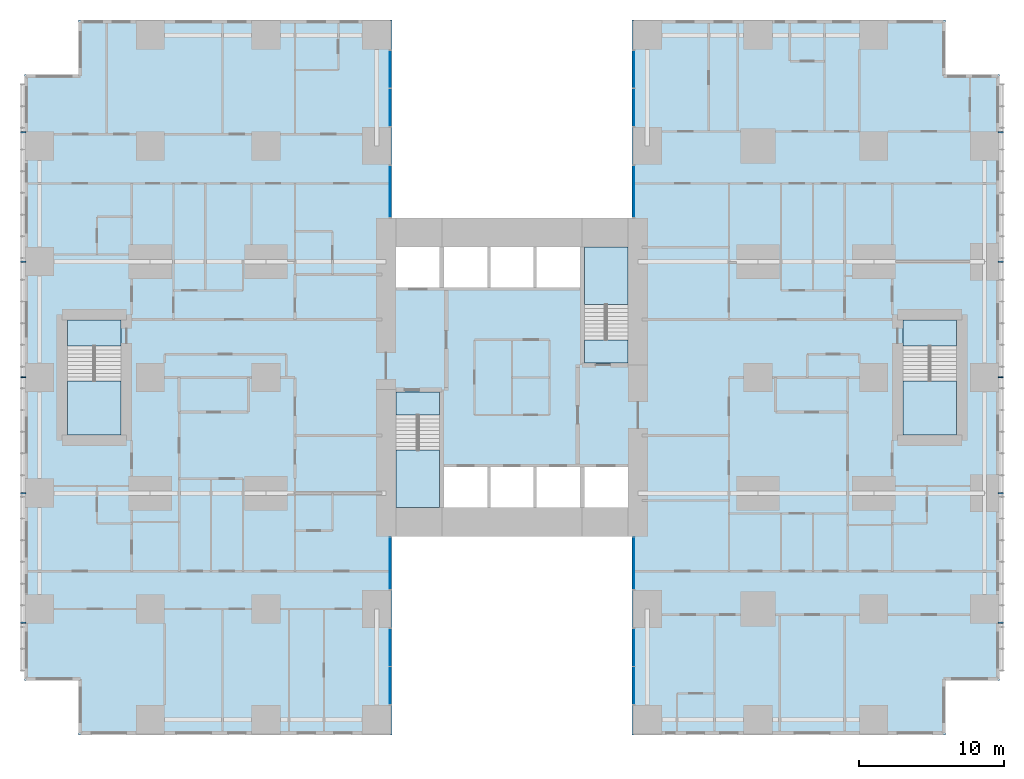
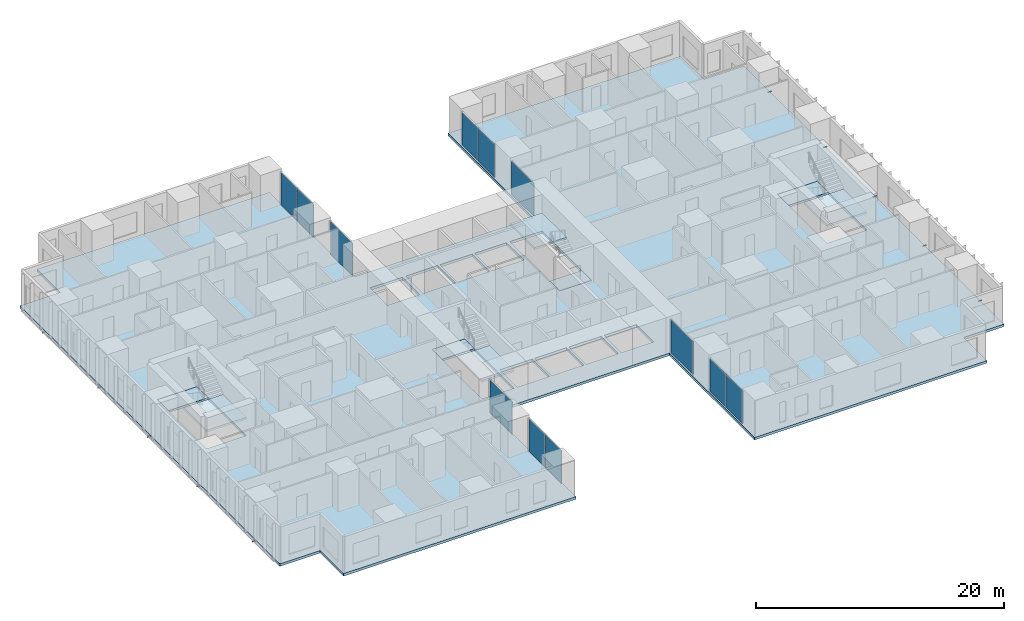
# One storey, part 7 of 20: 12 plates, 10 members, 9 slabs, 12 elements without a shape of their own.
"""IFC4 building model written with IfcOpenShell, lengths in metres."""

from ifc_helpers import new_model, si_unit, direction, frame, origin, origin_2d, place, context, subcontext, project, spatial, polyline, rectangle, hollow_rectangle, outline, extrude, material, layer, layer_set, material_profile, profile_set, type_object, element, aggregate, save


model = new_model("IFC4")

# Units and contexts
model_context = context("Model", 3, precision=1e-05, world=origin(), true_north=direction((0.0, 1.0)))
body_context = subcontext(model_context, "Body", "Model", "MODEL_VIEW")
ifc_project = project(units=[si_unit("LENGTHUNIT", "METRE"), si_unit("AREAUNIT", "SQUARE_METRE"), si_unit("VOLUMEUNIT", "CUBIC_METRE"), si_unit("PLANEANGLEUNIT", "RADIAN"), si_unit("MASSUNIT", "GRAM", prefix="KILO")], contexts=[model_context])

# Site, building, storey
site_placement = place(None, origin())
site = spatial("IfcSite", under=ifc_project, at=site_placement, CompositionType="ELEMENT")
building_placement = place(site_placement, origin())
building = spatial("IfcBuilding", under=site, at=building_placement, Name="Cleftline Residences", CompositionType="ELEMENT")
storey_placement = place(building_placement, frame((0.0, 0.0, 44.0)))
storey = spatial("IfcBuildingStorey", under=building, at=storey_placement, Name="L10", CompositionType="ELEMENT", Elevation=44.0)

# Members
ifc_material_1 = material(Name="Steel S355, hot-dip galvanised", Category="steel")
ifc_material_profile = material_profile(ifc_material_1, hollow_rectangle(XDim=0.10009765625, YDim=0.10009765625, WallThickness=0.008056640625, InnerFilletRadius=0.008056640625, OuterFilletRadius=0.011962890625, at=origin_2d()))
ifc_profile_set = profile_set([ifc_material_profile], Name="Steel S355, hot-dip galvanised")
member_type = type_object("IfcMemberType", Name="BAGUETTE BRACKET SHS 100X100X8", PredefinedType="USERDEFINED", material=ifc_profile_set)
for number, where, z_axis, x_axis, name in (
    (1, (66.60009765625, 7.050048828125, -0.14990234375), (1.0, 0.0, 0.0), (0.0, 1.0, 0.0), "Baguette bracket"),
    (2, (66.60009765625, 16.0, -0.14990234375), (1.0, 0.0, 0.0), (0.0, 1.0, 0.0), "Baguette bracket"),
    (3, (66.60009765625, 24.0, -0.14990234375), (1.0, 0.0, 0.0), (0.0, 1.0, 0.0), "Baguette bracket"),
    (4, (66.60009765625, 32.0, -0.14990234375), (1.0, 0.0, 0.0), (0.0, 1.0, 0.0), "Baguette bracket"),
    (5, (66.60009765625, 40.949951171875, -0.14990234375), (1.0, 0.0, 0.0), (0.0, 1.0, 0.0), "Baguette bracket"),
    (6, (-0.60009765625, 40.949951171875, -0.14990234375), (-1.0, 0.0, 0.0), (0.0, -1.0, 0.0), "Baguette bracket"),
    (7, (-0.60009765625, 32.0, -0.14990234375), (-1.0, 0.0, 0.0), (0.0, -1.0, 0.0), "Baguette bracket"),
    (8, (-0.60009765625, 24.0, -0.14990234375), (-1.0, 0.0, 0.0), (0.0, -1.0, 0.0), "Baguette bracket"),
    (9, (-0.60009765625, 16.0, -0.14990234375), (-1.0, 0.0, 0.0), (0.0, -1.0, 0.0), "Baguette bracket"),
    (10, (-0.60009765625, 7.050048828125, -0.14990234375), (-1.0, 0.0, 0.0), (0.0, -1.0, 0.0), "Baguette bracket"),
):
    element("IfcMember", number, at=place(storey_placement, frame(where, z_axis=z_axis, x_axis=x_axis)), inside=storey, type_object=member_type, Name=name, ObjectType="BAGUETTE BRACKET", PredefinedType="USERDEFINED", context=body_context, shape_type="SweptSolid", body=[
        extrude(hollow_rectangle(XDim=0.10009765625, YDim=0.10009765625, WallThickness=0.008056640625, InnerFilletRadius=0.008056640625, OuterFilletRadius=0.011962890625, at=origin_2d()), origin(), (0.0, 0.0, 1.0), 0.349853515625),
    ])

# Curtain wall, plates
ifc_material_2 = material(Name="Aluminium framed curtain wall", Category="aluminium")
ifc_layer_1 = layer(ifc_material_2, 0.199951171875)
ifc_layer_set_1 = layer_set([ifc_layer_1], Name="CW1 CLEFT GLAZING")
curtain_wall_type = type_object("IfcCurtainWallType", Name="CW1 CLEFT GLAZING", PredefinedType="NOTDEFINED", material=ifc_layer_set_1)
curtain_wall_1_placement = place(storey_placement, origin())
curtain_wall_1 = element("IfcCurtainWall", 11, at=curtain_wall_1_placement, inside=storey, type_object=curtain_wall_type, Name="Curtain wall CW1", PredefinedType="NOTDEFINED")
ifc_material_3 = material(Name="Laminated clear glass", Category="glass")
ifc_layer_2 = layer(ifc_material_3, 0.028076171875)
ifc_layer_set_2 = layer_set([ifc_layer_2], Name="CW1 GLASS PANEL")
plate_type = type_object("IfcPlateType", Name="CW1 GLASS PANEL", PredefinedType="CURTAIN_PANEL", material=ifc_layer_set_2)
plate_1_placement = place(storey_placement, frame((24.574951171875, 2.702392578125, 0.06005859375), z_axis=(0.0, 0.0, 1.0), x_axis=(0.0, 1.0, 0.0)))
plate_1 = element("IfcPlate", 12, at=plate_1_placement, type_object=plate_type, Name="CW1 panel 1.1", PredefinedType="CURTAIN_PANEL", context=body_context, shape_type="SweptSolid", body=[
    extrude(rectangle(XDim=2.5849609375, YDim=0.028076171875, at=origin_2d()), origin(), (0.0, 0.0, 1.0), 3.22998046875),
])
plate_2_placement = place(storey_placement, frame((24.574951171875, 5.347412109375, 0.06005859375), z_axis=(0.0, 0.0, 1.0), x_axis=(0.0, 1.0, 0.0)))
plate_2 = element("IfcPlate", 13, at=plate_2_placement, type_object=plate_type, Name="CW1 panel 2.1", PredefinedType="CURTAIN_PANEL", context=body_context, shape_type="SweptSolid", body=[
    extrude(rectangle(XDim=2.5849609375, YDim=0.028076171875, at=origin_2d()), origin(), (0.0, 0.0, 1.0), 3.22998046875),
])
aggregate(curtain_wall_1, [plate_1, plate_2])

# Curtain wall, plate
curtain_wall_2_placement = place(storey_placement, origin())
curtain_wall_2 = element("IfcCurtainWall", 14, at=curtain_wall_2_placement, inside=storey, type_object=curtain_wall_type, Name="Curtain wall CW1", PredefinedType="NOTDEFINED")
plate_3_placement = place(storey_placement, frame((24.574951171875, 11.14990234375, 0.06005859375), z_axis=(0.0, 0.0, 1.0), x_axis=(0.0, 1.0, 0.0)))
plate_3 = element("IfcPlate", 15, at=plate_3_placement, type_object=plate_type, Name="CW1 panel 1.1", PredefinedType="CURTAIN_PANEL", context=body_context, shape_type="SweptSolid", body=[
    extrude(rectangle(XDim=3.580078125, YDim=0.028076171875, at=origin_2d()), origin(), (0.0, 0.0, 1.0), 3.22998046875),
])
aggregate(curtain_wall_2, [plate_3])

curtain_wall_3_placement = place(storey_placement, origin())
curtain_wall_3 = element("IfcCurtainWall", 16, at=curtain_wall_3_placement, inside=storey, type_object=curtain_wall_type, Name="Curtain wall CW1", PredefinedType="NOTDEFINED")
plate_4_placement = place(storey_placement, frame((41.425048828125, 11.14990234375, 0.06005859375), z_axis=(0.0, 0.0, 1.0), x_axis=(0.0, -1.0, 0.0)))
plate_4 = element("IfcPlate", 17, at=plate_4_placement, type_object=plate_type, Name="CW1 panel 1.1", PredefinedType="CURTAIN_PANEL", context=body_context, shape_type="SweptSolid", body=[
    extrude(rectangle(XDim=3.580078125, YDim=0.028076171875, at=origin_2d()), origin(), (0.0, 0.0, 1.0), 3.22998046875),
])
aggregate(curtain_wall_3, [plate_4])

# Curtain wall, plates
curtain_wall_4_placement = place(storey_placement, origin())
curtain_wall_4 = element("IfcCurtainWall", 18, at=curtain_wall_4_placement, inside=storey, type_object=curtain_wall_type, Name="Curtain wall CW1", PredefinedType="NOTDEFINED")
plate_5_placement = place(storey_placement, frame((41.425048828125, 5.347412109375, 0.06005859375), z_axis=(0.0, 0.0, 1.0), x_axis=(0.0, -1.0, 0.0)))
plate_5 = element("IfcPlate", 19, at=plate_5_placement, type_object=plate_type, Name="CW1 panel 1.1", PredefinedType="CURTAIN_PANEL", context=body_context, shape_type="SweptSolid", body=[
    extrude(rectangle(XDim=2.5849609375, YDim=0.028076171875, at=origin_2d()), origin(), (0.0, 0.0, 1.0), 3.22998046875),
])
plate_6_placement = place(storey_placement, frame((41.425048828125, 2.702392578125, 0.06005859375), z_axis=(0.0, 0.0, 1.0), x_axis=(0.0, -1.0, 0.0)))
plate_6 = element("IfcPlate", 20, at=plate_6_placement, type_object=plate_type, Name="CW1 panel 2.1", PredefinedType="CURTAIN_PANEL", context=body_context, shape_type="SweptSolid", body=[
    extrude(rectangle(XDim=2.5849609375, YDim=0.028076171875, at=origin_2d()), origin(), (0.0, 0.0, 1.0), 3.22998046875),
])
aggregate(curtain_wall_4, [plate_5, plate_6])

curtain_wall_5_placement = place(storey_placement, origin())
curtain_wall_5 = element("IfcCurtainWall", 21, at=curtain_wall_5_placement, inside=storey, type_object=curtain_wall_type, Name="Curtain wall CW1", PredefinedType="NOTDEFINED")
plate_7_placement = place(storey_placement, frame((41.425048828125, 45.297607421875, 0.06005859375), z_axis=(0.0, 0.0, 1.0), x_axis=(0.0, -1.0, 0.0)))
plate_7 = element("IfcPlate", 22, at=plate_7_placement, type_object=plate_type, Name="CW1 panel 1.1", PredefinedType="CURTAIN_PANEL", context=body_context, shape_type="SweptSolid", body=[
    extrude(rectangle(XDim=2.5849609375, YDim=0.028076171875, at=origin_2d()), origin(), (0.0, 0.0, 1.0), 3.22998046875),
])
plate_8_placement = place(storey_placement, frame((41.425048828125, 42.652587890625, 0.06005859375), z_axis=(0.0, 0.0, 1.0), x_axis=(0.0, -1.0, 0.0)))
plate_8 = element("IfcPlate", 23, at=plate_8_placement, type_object=plate_type, Name="CW1 panel 2.1", PredefinedType="CURTAIN_PANEL", context=body_context, shape_type="SweptSolid", body=[
    extrude(rectangle(XDim=2.5849609375, YDim=0.028076171875, at=origin_2d()), origin(), (0.0, 0.0, 1.0), 3.22998046875),
])
aggregate(curtain_wall_5, [plate_7, plate_8])

# Curtain wall, plate
curtain_wall_6_placement = place(storey_placement, origin())
curtain_wall_6 = element("IfcCurtainWall", 24, at=curtain_wall_6_placement, inside=storey, type_object=curtain_wall_type, Name="Curtain wall CW1", PredefinedType="NOTDEFINED")
plate_9_placement = place(storey_placement, frame((41.425048828125, 36.85009765625, 0.06005859375), z_axis=(0.0, 0.0, 1.0), x_axis=(0.0, -1.0, 0.0)))
plate_9 = element("IfcPlate", 25, at=plate_9_placement, type_object=plate_type, Name="CW1 panel 1.1", PredefinedType="CURTAIN_PANEL", context=body_context, shape_type="SweptSolid", body=[
    extrude(rectangle(XDim=3.580078125, YDim=0.028076171875, at=origin_2d()), origin(), (0.0, 0.0, 1.0), 3.22998046875),
])
aggregate(curtain_wall_6, [plate_9])

curtain_wall_7_placement = place(storey_placement, origin())
curtain_wall_7 = element("IfcCurtainWall", 26, at=curtain_wall_7_placement, inside=storey, type_object=curtain_wall_type, Name="Curtain wall CW1", PredefinedType="NOTDEFINED")
plate_10_placement = place(storey_placement, frame((24.574951171875, 36.85009765625, 0.06005859375), z_axis=(0.0, 0.0, 1.0), x_axis=(0.0, 1.0, 0.0)))
plate_10 = element("IfcPlate", 27, at=plate_10_placement, type_object=plate_type, Name="CW1 panel 1.1", PredefinedType="CURTAIN_PANEL", context=body_context, shape_type="SweptSolid", body=[
    extrude(rectangle(XDim=3.580078125, YDim=0.028076171875, at=origin_2d()), origin(), (0.0, 0.0, 1.0), 3.22998046875),
])
aggregate(curtain_wall_7, [plate_10])

# Curtain wall, plates
curtain_wall_8_placement = place(storey_placement, origin())
curtain_wall_8 = element("IfcCurtainWall", 28, at=curtain_wall_8_placement, inside=storey, type_object=curtain_wall_type, Name="Curtain wall CW1", PredefinedType="NOTDEFINED")
plate_11_placement = place(storey_placement, frame((24.574951171875, 42.652587890625, 0.06005859375), z_axis=(0.0, 0.0, 1.0), x_axis=(0.0, 1.0, 0.0)))
plate_11 = element("IfcPlate", 29, at=plate_11_placement, type_object=plate_type, Name="CW1 panel 1.1", PredefinedType="CURTAIN_PANEL", context=body_context, shape_type="SweptSolid", body=[
    extrude(rectangle(XDim=2.5849609375, YDim=0.028076171875, at=origin_2d()), origin(), (0.0, 0.0, 1.0), 3.22998046875),
])
plate_12_placement = place(storey_placement, frame((24.574951171875, 45.297607421875, 0.06005859375), z_axis=(0.0, 0.0, 1.0), x_axis=(0.0, 1.0, 0.0)))
plate_12 = element("IfcPlate", 30, at=plate_12_placement, type_object=plate_type, Name="CW1 panel 2.1", PredefinedType="CURTAIN_PANEL", context=body_context, shape_type="SweptSolid", body=[
    extrude(rectangle(XDim=2.5849609375, YDim=0.028076171875, at=origin_2d()), origin(), (0.0, 0.0, 1.0), 3.22998046875),
])
aggregate(curtain_wall_8, [plate_11, plate_12])

# Slab
ifc_material_4 = material(Name="Concrete B45", Category="concrete")
ifc_layer_3 = layer(ifc_material_4, 0.25)
ifc_layer_set_3 = layer_set([ifc_layer_3], Name="FLOOR SLAB 250")
slab_type_1 = type_object("IfcSlabType", Name="FLOOR SLAB 250", PredefinedType="FLOOR", material=ifc_layer_set_3)
slab_1_placement = place(storey_placement, frame((0.0, 0.0, -0.25)))
element("IfcSlab", 31, at=slab_1_placement, inside=storey, type_object=slab_type_1, Name="Floor slab L10", PredefinedType="FLOOR", context=body_context, shape_type="SweptSolid", body=[
    extrude(outline(polyline([(24.699951171875, 13.0), (41.300048828125, 13.0), (41.300048828125, -0.699951171875), (62.949951171875, -0.699951171875), (62.949951171875, 3.050048828125), (66.699951171875, 3.050048828125), (66.699951171875, 44.949951171875), (62.949951171875, 44.949951171875), (62.949951171875, 48.699951171875), (41.300048828125, 48.699951171875), (41.300048828125, 35.0), (24.699951171875, 35.0), (24.699951171875, 48.699951171875), (3.050048828125, 48.699951171875), (3.050048828125, 44.949951171875), (-0.699951171875, 44.949951171875), (-0.699951171875, 3.050048828125), (3.050048828125, 3.050048828125), (3.050048828125, -0.699951171875), (24.699951171875, -0.699951171875), (24.699951171875, 13.0)]), holes=[polyline([(28.0, 15.0), (28.0, 23.0), (25.0, 23.0), (25.0, 15.0), (28.0, 15.0)]), polyline([(41.0, 25.0), (41.0, 33.0), (38.0, 33.0), (38.0, 25.0), (41.0, 25.0)]), polyline([(28.0, 30.199951171875), (28.0, 33.0), (25.0, 33.0), (25.0, 30.199951171875), (28.0, 30.199951171875)]), polyline([(41.0, 15.0), (41.0, 17.800048828125), (38.0, 17.800048828125), (38.0, 15.0), (41.0, 15.0)]), polyline([(31.300048828125, 15.0), (31.300048828125, 17.800048828125), (28.300048828125, 17.800048828125), (28.300048828125, 15.0), (31.300048828125, 15.0)]), polyline([(34.5, 15.0), (34.5, 17.800048828125), (31.5, 17.800048828125), (31.5, 15.0), (34.5, 15.0)]), polyline([(37.699951171875, 15.0), (37.699951171875, 17.800048828125), (34.699951171875, 17.800048828125), (34.699951171875, 15.0), (37.699951171875, 15.0)]), polyline([(31.300048828125, 30.199951171875), (31.300048828125, 33.0), (28.300048828125, 33.0), (28.300048828125, 30.199951171875), (31.300048828125, 30.199951171875)]), polyline([(34.5, 30.199951171875), (34.5, 33.0), (31.5, 33.0), (31.5, 30.199951171875), (34.5, 30.199951171875)]), polyline([(37.699951171875, 30.199951171875), (37.699951171875, 33.0), (34.699951171875, 33.0), (34.699951171875, 30.199951171875), (37.699951171875, 30.199951171875)]), polyline([(63.72509765625, 20.02490234375), (63.72509765625, 27.97509765625), (60.02490234375, 27.97509765625), (60.02490234375, 20.02490234375), (63.72509765625, 20.02490234375)]), polyline([(5.97509765625, 20.02490234375), (5.97509765625, 27.97509765625), (2.27490234375, 27.97509765625), (2.27490234375, 20.02490234375), (5.97509765625, 20.02490234375)])]), origin(), (0.0, 0.0, 1.0), 0.25),
])

# Stair, slabs
ifc_material_5 = material(Name="Concrete B45, stone treads", Category="masonry")
stair_type_1 = type_object("IfcStairType", Name="STAIR A 1450 WIDE 180 RISER", PredefinedType="HALF_TURN_STAIR", material=ifc_material_5)
stair_1_placement = place(storey_placement, origin())
stair_1 = element("IfcStair", 32, at=stair_1_placement, inside=storey, type_object=stair_type_1, Name="Stair A L10", PredefinedType="HALF_TURN_STAIR")
ifc_material_6 = material(Name="Concrete B45", Category="concrete")
ifc_layer_4 = layer(ifc_material_6, 0.199951171875)
ifc_layer_set_4 = layer_set([ifc_layer_4], Name="STAIR LANDING 200")
slab_type_2 = type_object("IfcSlabType", Name="STAIR LANDING 200", PredefinedType="LANDING", material=ifc_layer_set_4)
slab_2_placement = place(storey_placement, frame((0.0, 0.0, -0.199951171875)))
slab_2 = element("IfcSlab", 33, at=slab_2_placement, type_object=slab_type_2, Name="ST-A landing 1", PredefinedType="LANDING", context=body_context, shape_type="SweptSolid", body=[
    extrude(outline(polyline([(25.0, 21.39990234375), (28.0, 21.39990234375), (28.0, 23.0), (25.0, 23.0), (25.0, 21.39990234375)])), origin(), (0.0, 0.0, 1.0), 0.199951171875),
])
slab_3_placement = place(storey_placement, frame((0.0, 0.0, 1.60009765625)))
slab_3 = element("IfcSlab", 34, at=slab_3_placement, type_object=slab_type_2, Name="ST-A landing 2", PredefinedType="LANDING", context=body_context, shape_type="SweptSolid", body=[
    extrude(outline(polyline([(25.0, 15.0), (28.0, 15.0), (28.0, 18.969970703125), (25.0, 18.969970703125), (25.0, 15.0)])), origin(), (0.0, 0.0, 1.0), 0.199951171875),
])
aggregate(stair_1, [slab_2, slab_3])

ifc_material_7 = material(Name="Concrete B45, stone treads", Category="masonry")
stair_type_2 = type_object("IfcStairType", Name="STAIR B 1450 WIDE 180 RISER", PredefinedType="HALF_TURN_STAIR", material=ifc_material_7)
stair_2_placement = place(storey_placement, origin())
stair_2 = element("IfcStair", 35, at=stair_2_placement, inside=storey, type_object=stair_type_2, Name="Stair B L10", PredefinedType="HALF_TURN_STAIR")
slab_4_placement = place(storey_placement, frame((0.0, 0.0, -0.199951171875)))
slab_4 = element("IfcSlab", 36, at=slab_4_placement, type_object=slab_type_2, Name="ST-B landing 1", PredefinedType="LANDING", context=body_context, shape_type="SweptSolid", body=[
    extrude(outline(polyline([(38.0, 25.0), (41.0, 25.0), (41.0, 26.60009765625), (38.0, 26.60009765625), (38.0, 25.0)])), origin(), (0.0, 0.0, 1.0), 0.199951171875),
])
slab_5_placement = place(storey_placement, frame((0.0, 0.0, 1.60009765625)))
slab_5 = element("IfcSlab", 37, at=slab_5_placement, type_object=slab_type_2, Name="ST-B landing 2", PredefinedType="LANDING", context=body_context, shape_type="SweptSolid", body=[
    extrude(outline(polyline([(38.0, 29.030029296875), (41.0, 29.030029296875), (41.0, 33.0), (38.0, 33.0), (38.0, 29.030029296875)])), origin(), (0.0, 0.0, 1.0), 0.199951171875),
])
aggregate(stair_2, [slab_4, slab_5])

ifc_material_8 = material(Name="Concrete B45, stone treads", Category="masonry")
stair_type_3 = type_object("IfcStairType", Name="STAIR E 1800 WIDE 180 RISER", PredefinedType="HALF_TURN_STAIR", material=ifc_material_8)
stair_3_placement = place(storey_placement, origin())
stair_3 = element("IfcStair", 38, at=stair_3_placement, inside=storey, type_object=stair_type_3, Name="Stair E L10", PredefinedType="HALF_TURN_STAIR")
slab_6_placement = place(storey_placement, frame((0.0, 0.0, -0.199951171875)))
slab_6 = element("IfcSlab", 39, at=slab_6_placement, type_object=slab_type_2, Name="ST-E landing 1", PredefinedType="LANDING", context=body_context, shape_type="SweptSolid", body=[
    extrude(outline(polyline([(60.02490234375, 26.175048828125), (63.72509765625, 26.175048828125), (63.72509765625, 27.97509765625), (60.02490234375, 27.97509765625), (60.02490234375, 26.175048828125)])), origin(), (0.0, 0.0, 1.0), 0.199951171875),
])
slab_7_placement = place(storey_placement, frame((0.0, 0.0, 1.60009765625)))
slab_7 = element("IfcSlab", 40, at=slab_7_placement, type_object=slab_type_2, Name="ST-E landing 2", PredefinedType="LANDING", context=body_context, shape_type="SweptSolid", body=[
    extrude(outline(polyline([(60.02490234375, 20.02490234375), (63.72509765625, 20.02490234375), (63.72509765625, 23.7451171875), (60.02490234375, 23.7451171875), (60.02490234375, 20.02490234375)])), origin(), (0.0, 0.0, 1.0), 0.199951171875),
])
aggregate(stair_3, [slab_6, slab_7])

ifc_material_9 = material(Name="Concrete B45, stone treads", Category="masonry")
stair_type_4 = type_object("IfcStairType", Name="STAIR W 1800 WIDE 180 RISER", PredefinedType="HALF_TURN_STAIR", material=ifc_material_9)
stair_4_placement = place(storey_placement, origin())
stair_4 = element("IfcStair", 41, at=stair_4_placement, inside=storey, type_object=stair_type_4, Name="Stair W L10", PredefinedType="HALF_TURN_STAIR")
slab_8_placement = place(storey_placement, frame((0.0, 0.0, -0.199951171875)))
slab_8 = element("IfcSlab", 42, at=slab_8_placement, type_object=slab_type_2, Name="ST-W landing 1", PredefinedType="LANDING", context=body_context, shape_type="SweptSolid", body=[
    extrude(outline(polyline([(2.27490234375, 26.175048828125), (5.97509765625, 26.175048828125), (5.97509765625, 27.97509765625), (2.27490234375, 27.97509765625), (2.27490234375, 26.175048828125)])), origin(), (0.0, 0.0, 1.0), 0.199951171875),
])
slab_9_placement = place(storey_placement, frame((0.0, 0.0, 1.60009765625)))
slab_9 = element("IfcSlab", 43, at=slab_9_placement, type_object=slab_type_2, Name="ST-W landing 2", PredefinedType="LANDING", context=body_context, shape_type="SweptSolid", body=[
    extrude(outline(polyline([(2.27490234375, 20.02490234375), (5.97509765625, 20.02490234375), (5.97509765625, 23.7451171875), (2.27490234375, 23.7451171875), (2.27490234375, 20.02490234375)])), origin(), (0.0, 0.0, 1.0), 0.199951171875),
])
aggregate(stair_4, [slab_8, slab_9])

save(model, "model.ifc")
